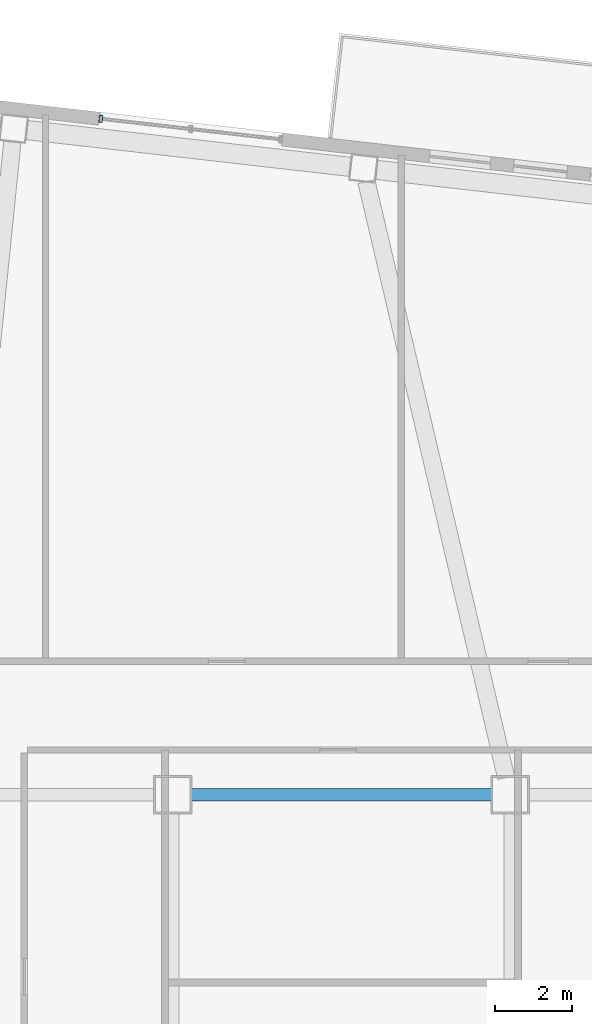
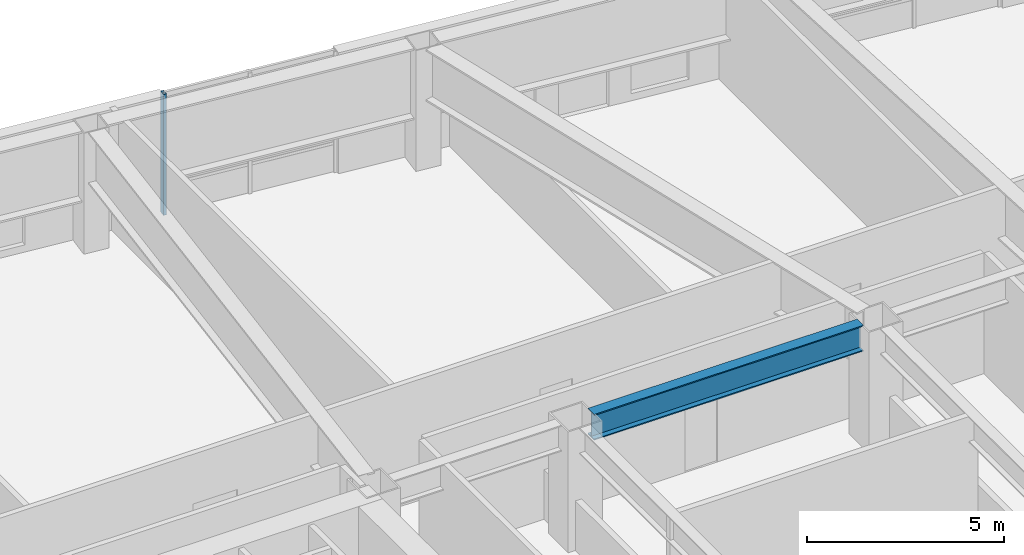
# One storey, part 6 of 21: 1 beam, 1 member, 1 element without a shape of its own.
"""IFC4 building model written with IfcOpenShell, lengths in metres."""

from ifc_helpers import new_model, si_unit, direction, frame, origin, origin_2d, place, context, subcontext, project, spatial, hollow_rectangle, i_section, extrude, material, layer, layer_set, material_profile, profile_set, type_object, element, aggregate, save


model = new_model("IFC4")

# Units and contexts
model_context = context("Model", 3, precision=1e-05, world=origin(), true_north=direction((0.0, 1.0)))
body_context = subcontext(model_context, "Body", "Model", "MODEL_VIEW")
ifc_project = project(units=[si_unit("LENGTHUNIT", "METRE"), si_unit("AREAUNIT", "SQUARE_METRE"), si_unit("VOLUMEUNIT", "CUBIC_METRE"), si_unit("PLANEANGLEUNIT", "RADIAN"), si_unit("MASSUNIT", "GRAM", prefix="KILO")], contexts=[model_context])

# Site, building, storey
site_placement = place(None, origin())
site = spatial("IfcSite", under=ifc_project, at=site_placement, CompositionType="ELEMENT")
building_placement = place(site_placement, origin())
building = spatial("IfcBuilding", under=site, at=building_placement, Name="Tavrogorsk Clinical Tower", CompositionType="ELEMENT")
storey_placement = place(building_placement, frame((0.0, 0.0, 89.39990234375)))
storey = spatial("IfcBuildingStorey", under=building, at=storey_placement, Name="L19", CompositionType="ELEMENT", Elevation=89.39990234375)

# Curtain wall, member
ifc_material_1 = material(Name="Anodised aluminium and triple IGU glazing", Category="aluminium")
ifc_layer = layer(ifc_material_1, 0.179931640625)
ifc_layer_set = layer_set([ifc_layer], Name="Anodised aluminium and triple IGU glazing")
curtain_wall_type = type_object("IfcCurtainWallType", Name="CW2_NorthSlot", PredefinedType="NOTDEFINED", material=ifc_layer_set)
curtain_wall_placement = place(storey_placement, origin())
curtain_wall = element("IfcCurtainWall", 1, at=curtain_wall_placement, inside=storey, type_object=curtain_wall_type, Name="L19 Curtain Wall CW-L19-N-SLOT-1", PredefinedType="NOTDEFINED")
ifc_material_2 = material(Name="Anodised aluminium alloy AW-6060", Category="aluminium")
ifc_material_profile_1 = material_profile(ifc_material_2, hollow_rectangle(XDim=0.090087890625, YDim=0.179931640625, WallThickness=0.00634765625, at=origin_2d()), Name="RHS-180x90x6.3")
ifc_profile_set_1 = profile_set([ifc_material_profile_1], Name="Anodised aluminium alloy AW-6060")
member_type = type_object("IfcMemberType", Name="CwMullion_180x90", PredefinedType="MULLION", material=ifc_profile_set_1)
member_placement = place(storey_placement, frame((-6.273681640625, 23.9775390625, 0.0), z_axis=(0.0, 0.0, 1.0), x_axis=(-0.993571858269, 0.113203191016, 0.0)))
member = element("IfcMember", 2, at=member_placement, type_object=member_type, Name="CW-L19-N-SLOT-1 Mullion 3", PredefinedType="MULLION", context=body_context, shape_type="SweptSolid", body=[
    extrude(hollow_rectangle(XDim=0.090087890625, YDim=0.179931640625, WallThickness=0.00634765625, at=origin_2d()), origin(), (0.0, 0.0, 1.0), 3.739990234375),
])
aggregate(curtain_wall, [member])

# Beam
ifc_material_3 = material(Name="Structural steel S390", Category="steel")
ifc_material_profile_2 = material_profile(ifc_material_3, i_section(OverallWidth=0.320068359375, OverallDepth=0.800048828125, WebThickness=0.02001953125, FlangeThickness=0.033935546875, at=origin_2d()), Name="B-800x320x20x34")
ifc_profile_set_2 = profile_set([ifc_material_profile_2], Name="Structural steel S390")
beam_type = type_object("IfcBeamType", Name="PrimaryGirder_B800", PredefinedType="USERDEFINED", material=ifc_profile_set_2)
beam_placement = place(storey_placement, frame((-3.93994140625, 6.35009765625, 3.340087890625), z_axis=(1.0, 0.0, 0.0), x_axis=(0.0, 1.0, 0.0)))
element("IfcBeam", 3, at=beam_placement, inside=storey, type_object=beam_type, Name="L19 Primary Spine Girder MG-04", ObjectType="GIRDER", PredefinedType="USERDEFINED", context=body_context, shape_type="SweptSolid", body=[
    extrude(i_section(OverallWidth=0.320068359375, OverallDepth=0.800048828125, WebThickness=0.02001953125, FlangeThickness=0.033935546875, at=origin_2d()), origin(), (0.0, 0.0, 1.0), 7.8798828125),
])

save(model, "model.ifc")
